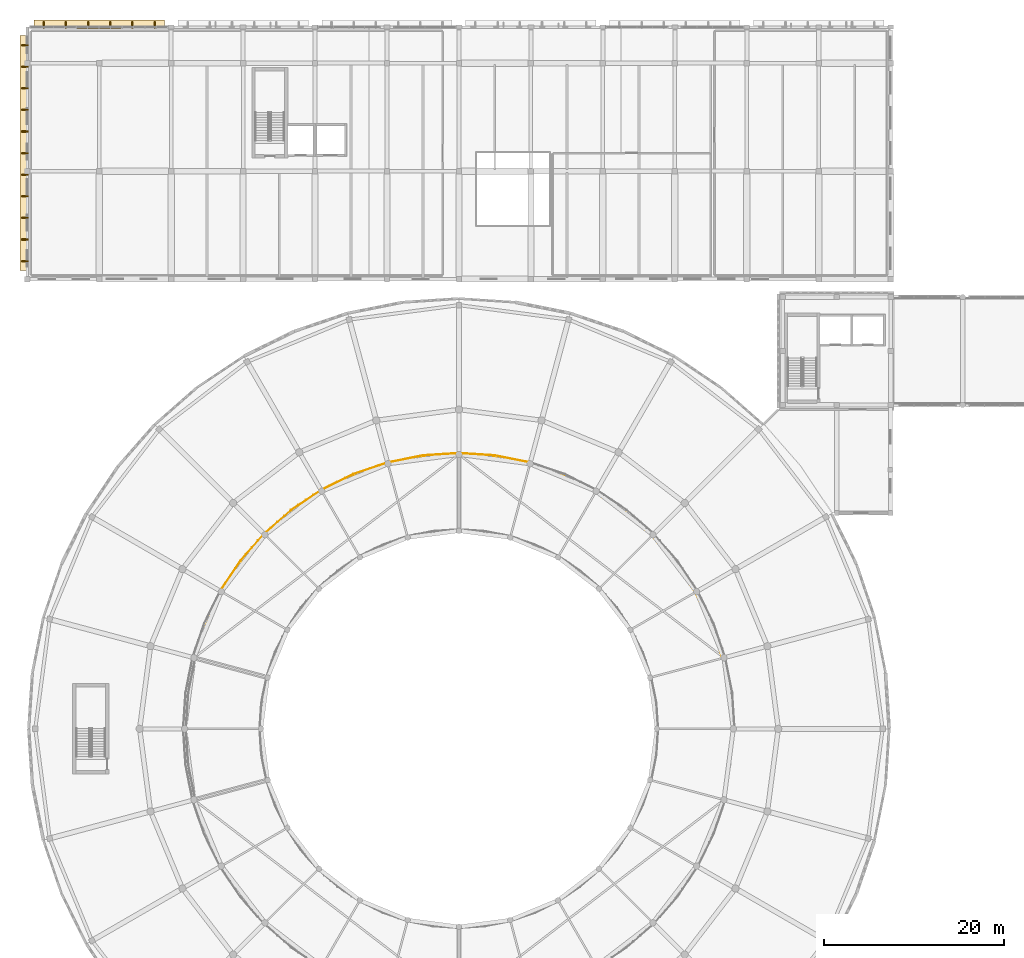
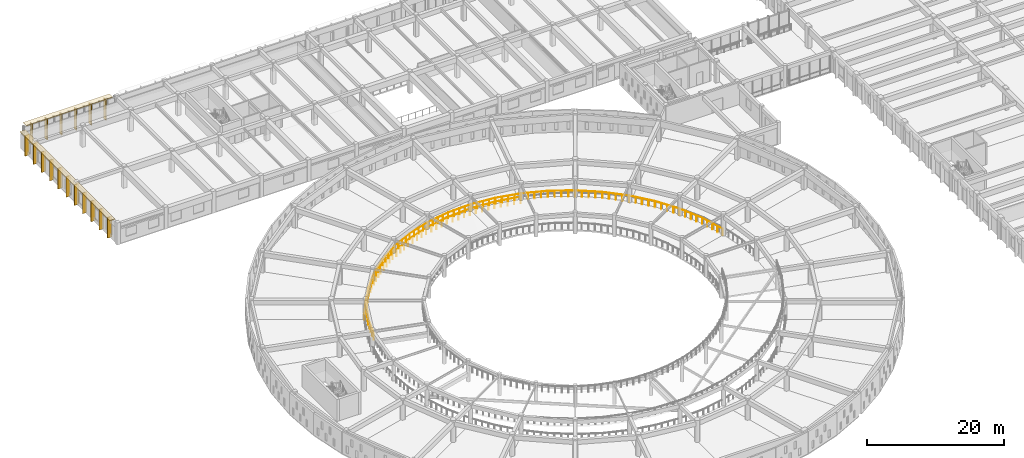
# One storey, part 87 of 98: 19 coverings, 2 railings.
"""IFC4 building model written with IfcOpenShell, lengths in metres."""

from ifc_helpers import new_model, si_unit, direction, frame, origin, origin_2d, place, context, subcontext, project, spatial, rectangle, circle, extrude, material, layer, layer_set, type_object, element, save


model = new_model("IFC4")

# Units and contexts
model_context = context("Model", 3, precision=1e-05, world=origin(), true_north=direction((0.0, 1.0)))
body_context = subcontext(model_context, "Body", "Model", "MODEL_VIEW")
ifc_project = project(units=[si_unit("LENGTHUNIT", "METRE"), si_unit("AREAUNIT", "SQUARE_METRE"), si_unit("VOLUMEUNIT", "CUBIC_METRE"), si_unit("PLANEANGLEUNIT", "RADIAN"), si_unit("MASSUNIT", "GRAM", prefix="KILO")], contexts=[model_context])

# Site, building, storey
site_placement = place(None, origin())
site = spatial("IfcSite", under=ifc_project, at=site_placement, CompositionType="ELEMENT")
building_placement = place(site_placement, origin())
building = spatial("IfcBuilding", under=site, at=building_placement, Name="Larkveld Mobility Hub", CompositionType="ELEMENT")
storey_placement = place(building_placement, frame((0.0, 0.0, 4.5)))
storey = spatial("IfcBuildingStorey", under=building, at=storey_placement, Name="L01", CompositionType="ELEMENT", Elevation=4.5)

# Coverings
ifc_material_1 = material(Name="Precast concrete C50/60", Category="concrete")
ifc_layer_1 = layer(ifc_material_1, 0.14990234375, Name="Precast concrete C50/60", Category="concrete")
ifc_layer_set_1 = layer_set([ifc_layer_1], Name="Precast concrete C50/60")
covering_type_1 = type_object("IfcCoveringType", Name="COV-QSL-H01", PredefinedType="CLADDING", material=ifc_layer_set_1)
covering_1_placement = place(storey_placement, frame((8.0, 126.340087890625, 3.670166015625), z_axis=(0.0, 0.0, 1.0), x_axis=(-1.0, 0.0, 0.0)))
element("IfcCovering", 1, at=covering_1_placement, inside=storey, type_object=covering_type_1, Name="Precast Quebra-Sol Horizontal Sunbreaker QSH-057", PredefinedType="CLADDING", context=body_context, shape_type="SweptSolid", body=[
    extrude(rectangle(XDim=14.5, YDim=0.919921875, at=origin_2d()), origin(), (0.0, 0.0, 1.0), 0.14990234375),
])
covering_2_placement = place(storey_placement, frame((-0.340087890625, 112.0, 3.670166015625), z_axis=(0.0, 0.0, 1.0), x_axis=(0.0, -1.0, 0.0)))
element("IfcCovering", 2, at=covering_2_placement, inside=storey, type_object=covering_type_1, Name="Precast Quebra-Sol Horizontal Sunbreaker QSH-099", PredefinedType="CLADDING", context=body_context, shape_type="SweptSolid", body=[
    extrude(rectangle(XDim=26.10009765625, YDim=0.919921875, at=origin_2d()), origin(), (0.0, 0.0, 1.0), 0.14990234375),
])
ifc_layer_2 = layer(ifc_material_1, 0.1201171875, Name="Precast concrete C50/60", Category="concrete")
ifc_layer_set_2 = layer_set([ifc_layer_2], Name="Precast concrete C50/60")
covering_type_2 = type_object("IfcCoveringType", Name="COV-QSL-V01", PredefinedType="CLADDING", material=ifc_layer_set_2)
for number, where, z_axis, x_axis, name in (
    (3, (14.1669921875, 126.239990234375, -0.0205078125), (0.0, 0.0, 1.0), (-1.0, 0.0, 0.0), "Precast Quebra-Sol Vertical Fin QSV-058"),
    (4, (11.699951171875, 126.239990234375, -0.0205078125), (0.0, 0.0, 1.0), (-1.0, 0.0, 0.0), "Precast Quebra-Sol Vertical Fin QSV-059"),
    (5, (9.23291015625, 126.239990234375, -0.0205078125), (0.0, 0.0, 1.0), (-1.0, 0.0, 0.0), "Precast Quebra-Sol Vertical Fin QSV-060"),
    (6, (6.76708984375, 126.239990234375, -0.0205078125), (0.0, 0.0, 1.0), (-1.0, 0.0, 0.0), "Precast Quebra-Sol Vertical Fin QSV-061"),
    (7, (4.300048828125, 126.239990234375, -0.0205078125), (0.0, 0.0, 1.0), (-1.0, 0.0, 0.0), "Precast Quebra-Sol Vertical Fin QSV-062"),
    (8, (1.8330078125, 126.239990234375, -0.0205078125), (0.0, 0.0, 1.0), (-1.0, 0.0, 0.0), "Precast Quebra-Sol Vertical Fin QSV-063"),
    (9, (-0.239990234375, 124.0, -0.0205078125), (0.0, 0.0, 1.0), (0.0, -1.0, 0.0), "Precast Quebra-Sol Vertical Fin QSV-100"),
    (10, (-0.239990234375, 121.60009765625, -0.0205078125), (0.0, 0.0, 1.0), (0.0, -1.0, 0.0), "Precast Quebra-Sol Vertical Fin QSV-101"),
    (11, (-0.239990234375, 119.199951171875, -0.0205078125), (0.0, 0.0, 1.0), (0.0, -1.0, 0.0), "Precast Quebra-Sol Vertical Fin QSV-102"),
    (12, (-0.239990234375, 116.800048828125, -0.0205078125), (0.0, 0.0, 1.0), (0.0, -1.0, 0.0), "Precast Quebra-Sol Vertical Fin QSV-103"),
    (13, (-0.239990234375, 114.39990234375, -0.0205078125), (0.0, 0.0, 1.0), (0.0, -1.0, 0.0), "Precast Quebra-Sol Vertical Fin QSV-104"),
    (14, (-0.239990234375, 112.0, -0.0205078125), (0.0, 0.0, 1.0), (0.0, -1.0, 0.0), "Precast Quebra-Sol Vertical Fin QSV-105"),
    (15, (-0.239990234375, 109.60009765625, -0.0205078125), (0.0, 0.0, 1.0), (0.0, -1.0, 0.0), "Precast Quebra-Sol Vertical Fin QSV-106"),
    (16, (-0.239990234375, 107.199951171875, -0.0205078125), (0.0, 0.0, 1.0), (0.0, -1.0, 0.0), "Precast Quebra-Sol Vertical Fin QSV-107"),
    (17, (-0.239990234375, 104.800048828125, -0.0205078125), (0.0, 0.0, 1.0), (0.0, -1.0, 0.0), "Precast Quebra-Sol Vertical Fin QSV-108"),
    (18, (-0.239990234375, 102.39990234375, -0.0205078125), (0.0, 0.0, 1.0), (0.0, -1.0, 0.0), "Precast Quebra-Sol Vertical Fin QSV-109"),
    (19, (-0.239990234375, 100.0, -0.0205078125), (0.0, 0.0, 1.0), (0.0, -1.0, 0.0), "Precast Quebra-Sol Vertical Fin QSV-110"),
):
    element("IfcCovering", number, at=place(storey_placement, frame(where, z_axis=z_axis, x_axis=x_axis)), inside=storey, type_object=covering_type_2, Name=name, PredefinedType="CLADDING", context=body_context, shape_type="SweptSolid", body=[
        extrude(rectangle(XDim=0.1201171875, YDim=0.719970703125, at=origin_2d()), origin(), (0.0, 0.0, 1.0), 3.675048828125),
    ])

# Railings
ifc_material_2 = material(Name="Anodized aluminium 6063-T6 balustrade", Category="aluminium")
railing_type_1 = type_object("IfcRailingType", Name="RL-GRD-1150", PredefinedType="GUARDRAIL", material=ifc_material_2)
railing_1_placement = place(storey_placement, frame((55.93310546875, 77.60595703125, 0.0)))
element("IfcRailing", 20, at=railing_1_placement, inside=storey, type_object=railing_type_1, Name="Drum Ramp Well Guardrail L01-038", PredefinedType="GUARDRAIL", context=body_context, shape_type="SweptSolid", body=[
    extrude(circle(Radius=0.02392578125, at=origin_2d()), frame((0.0, 0.0, 1.1259765625), z_axis=(-0.980793233096, 0.195050336869, 0.0), x_axis=(-0.195050336869, -0.980793233096, 0.0)), (0.0, 0.0, 1.0), 4.009033203125),
    extrude(circle(Radius=0.02392578125, at=origin_2d()), frame((-3.93212890625, 0.781982421875, 1.1259765625), z_axis=(-0.997863396539, 0.065334844062, 0.0), x_axis=(-0.065334844062, -0.997863396539, 0.0)), (0.0, 0.0, 1.0), 4.009521484375),
    extrude(circle(Radius=0.02392578125, at=origin_2d()), frame((-7.93310546875, 1.0439453125, 1.1259765625), z_axis=(-0.997863396539, -0.065334844062, 0.0), x_axis=(0.065334844062, -0.997863396539, 0.0)), (0.0, 0.0, 1.0), 4.009521484375),
    extrude(circle(Radius=0.02392578125, at=origin_2d()), frame((-11.93408203125, 0.781982421875, 1.1259765625), z_axis=(-0.980793233096, -0.195050336869, 0.0), x_axis=(0.195050336869, -0.980793233096, 0.0)), (0.0, 0.0, 1.0), 4.009033203125),
    extrude(circle(Radius=0.02392578125, at=origin_2d()), frame((-15.8662109375, 0.0, 1.1259765625), z_axis=(-0.946889985865, -0.321557700371, 0.0), x_axis=(0.321557700371, -0.946889985865, 0.0)), (0.0, 0.0, 1.0), 4.0087890625),
    extrude(circle(Radius=0.02392578125, at=origin_2d()), frame((-19.662109375, -1.2890625, 1.1259765625), z_axis=(-0.89690991287, -0.442213306217, 0.0), x_axis=(0.442213306217, -0.89690991287, 0.0)), (0.0, 0.0, 1.0), 4.00927734375),
    extrude(circle(Radius=0.02392578125, at=origin_2d()), frame((-23.258056640625, -3.06201171875, 1.1259765625), z_axis=(-0.831431571078, -0.555627161516, 0.0), x_axis=(0.555627161516, -0.831431571078, 0.0)), (0.0, 0.0, 1.0), 4.010009765625),
    extrude(circle(Radius=0.02392578125, at=origin_2d()), frame((-26.592041015625, -5.2900390625, 1.1259765625), z_axis=(-0.75190475676, -0.65927174728, 0.0), x_axis=(0.65927174728, -0.75190475676, 0.0)), (0.0, 0.0, 1.0), 4.0087890625),
    extrude(circle(Radius=0.02392578125, at=origin_2d()), frame((-29.606201171875, -7.932861328125, 1.1259765625), z_axis=(-0.65927174728, -0.75190475676, 0.0), x_axis=(0.75190475676, -0.65927174728, 0.0)), (0.0, 0.0, 1.0), 4.0087890625),
    extrude(circle(Radius=0.02392578125, at=origin_2d()), frame((-32.2490234375, -10.947021484375, 1.1259765625), z_axis=(-0.555627161516, -0.831431571078, 0.0), x_axis=(0.831431571078, -0.555627161516, 0.0)), (0.0, 0.0, 1.0), 4.010009765625),
    extrude(circle(Radius=0.02099609375, at=origin_2d()), origin(), (0.0, 0.0, 1.0), 1.101806640625),
    extrude(circle(Radius=0.02099609375, at=origin_2d()), frame((-0.98291015625, 0.195556640625, 0.0)), (0.0, 0.0, 1.0), 1.101806640625),
    extrude(circle(Radius=0.02099609375, at=origin_2d()), frame((-1.966064453125, 0.39111328125, 0.0)), (0.0, 0.0, 1.0), 1.101806640625),
    extrude(circle(Radius=0.02099609375, at=origin_2d()), frame((-2.94921875, 0.58642578125, 0.0)), (0.0, 0.0, 1.0), 1.101806640625),
    extrude(circle(Radius=0.02099609375, at=origin_2d()), frame((-3.93212890625, 0.781982421875, 0.0)), (0.0, 0.0, 1.0), 1.101806640625),
    extrude(circle(Radius=0.02099609375, at=origin_2d()), frame((-4.932373046875, 0.847412109375, 0.0)), (0.0, 0.0, 1.0), 1.101806640625),
    extrude(circle(Radius=0.02099609375, at=origin_2d()), frame((-5.9326171875, 0.9130859375, 0.0)), (0.0, 0.0, 1.0), 1.101806640625),
    extrude(circle(Radius=0.02099609375, at=origin_2d()), frame((-6.932861328125, 0.978515625, 0.0)), (0.0, 0.0, 1.0), 1.101806640625),
    extrude(circle(Radius=0.02099609375, at=origin_2d()), frame((-7.93310546875, 1.0439453125, 0.0)), (0.0, 0.0, 1.0), 1.101806640625),
    extrude(circle(Radius=0.02099609375, at=origin_2d()), frame((-8.933349609375, 0.978515625, 0.0)), (0.0, 0.0, 1.0), 1.101806640625),
    extrude(circle(Radius=0.02099609375, at=origin_2d()), frame((-9.93359375, 0.9130859375, 0.0)), (0.0, 0.0, 1.0), 1.101806640625),
    extrude(circle(Radius=0.02099609375, at=origin_2d()), frame((-10.933837890625, 0.847412109375, 0.0)), (0.0, 0.0, 1.0), 1.101806640625),
    extrude(circle(Radius=0.02099609375, at=origin_2d()), frame((-11.93408203125, 0.781982421875, 0.0)), (0.0, 0.0, 1.0), 1.101806640625),
    extrude(circle(Radius=0.02099609375, at=origin_2d()), frame((-12.9169921875, 0.58642578125, 0.0)), (0.0, 0.0, 1.0), 1.101806640625),
    extrude(circle(Radius=0.02099609375, at=origin_2d()), frame((-13.900146484375, 0.39111328125, 0.0)), (0.0, 0.0, 1.0), 1.101806640625),
    extrude(circle(Radius=0.02099609375, at=origin_2d()), frame((-14.88330078125, 0.195556640625, 0.0)), (0.0, 0.0, 1.0), 1.101806640625),
    extrude(circle(Radius=0.02099609375, at=origin_2d()), frame((-15.8662109375, 0.0, 0.0)), (0.0, 0.0, 1.0), 1.101806640625),
    extrude(circle(Radius=0.02099609375, at=origin_2d()), frame((-16.815185546875, -0.322265625, 0.0)), (0.0, 0.0, 1.0), 1.101806640625),
    extrude(circle(Radius=0.02099609375, at=origin_2d()), frame((-17.76416015625, -0.64453125, 0.0)), (0.0, 0.0, 1.0), 1.101806640625),
    extrude(circle(Radius=0.02099609375, at=origin_2d()), frame((-18.713134765625, -0.966796875, 0.0)), (0.0, 0.0, 1.0), 1.101806640625),
    extrude(circle(Radius=0.02099609375, at=origin_2d()), frame((-19.662109375, -1.2890625, 0.0)), (0.0, 0.0, 1.0), 1.101806640625),
    extrude(circle(Radius=0.02099609375, at=origin_2d()), frame((-20.56103515625, -1.732421875, 0.0)), (0.0, 0.0, 1.0), 1.101806640625),
    extrude(circle(Radius=0.02099609375, at=origin_2d()), frame((-21.4599609375, -2.175537109375, 0.0)), (0.0, 0.0, 1.0), 1.101806640625),
    extrude(circle(Radius=0.02099609375, at=origin_2d()), frame((-22.359130859375, -2.61865234375, 0.0)), (0.0, 0.0, 1.0), 1.101806640625),
    extrude(circle(Radius=0.02099609375, at=origin_2d()), frame((-23.258056640625, -3.06201171875, 0.0)), (0.0, 0.0, 1.0), 1.101806640625),
    extrude(circle(Radius=0.02099609375, at=origin_2d()), frame((-24.091552734375, -3.619140625, 0.0)), (0.0, 0.0, 1.0), 1.101806640625),
    extrude(circle(Radius=0.02099609375, at=origin_2d()), frame((-24.925048828125, -4.176025390625, 0.0)), (0.0, 0.0, 1.0), 1.101806640625),
    extrude(circle(Radius=0.02099609375, at=origin_2d()), frame((-25.758544921875, -4.73291015625, 0.0)), (0.0, 0.0, 1.0), 1.101806640625),
    extrude(circle(Radius=0.02099609375, at=origin_2d()), frame((-26.592041015625, -5.2900390625, 0.0)), (0.0, 0.0, 1.0), 1.101806640625),
    extrude(circle(Radius=0.02099609375, at=origin_2d()), frame((-27.345703125, -5.95068359375, 0.0)), (0.0, 0.0, 1.0), 1.101806640625),
    extrude(circle(Radius=0.02099609375, at=origin_2d()), frame((-28.09912109375, -6.611328125, 0.0)), (0.0, 0.0, 1.0), 1.101806640625),
    extrude(circle(Radius=0.02099609375, at=origin_2d()), frame((-28.8525390625, -7.272216796875, 0.0)), (0.0, 0.0, 1.0), 1.101806640625),
    extrude(circle(Radius=0.02099609375, at=origin_2d()), frame((-29.606201171875, -7.932861328125, 0.0)), (0.0, 0.0, 1.0), 1.101806640625),
    extrude(circle(Radius=0.02099609375, at=origin_2d()), frame((-30.266845703125, -8.6865234375, 0.0)), (0.0, 0.0, 1.0), 1.101806640625),
    extrude(circle(Radius=0.02099609375, at=origin_2d()), frame((-30.927734375, -9.43994140625, 0.0)), (0.0, 0.0, 1.0), 1.101806640625),
    extrude(circle(Radius=0.02099609375, at=origin_2d()), frame((-31.58837890625, -10.193359375, 0.0)), (0.0, 0.0, 1.0), 1.101806640625),
    extrude(circle(Radius=0.02099609375, at=origin_2d()), frame((-32.2490234375, -10.947021484375, 0.0)), (0.0, 0.0, 1.0), 1.101806640625),
    extrude(circle(Radius=0.02099609375, at=origin_2d()), frame((-32.80615234375, -11.780517578125, 0.0)), (0.0, 0.0, 1.0), 1.101806640625),
    extrude(circle(Radius=0.02099609375, at=origin_2d()), frame((-33.363037109375, -12.614013671875, 0.0)), (0.0, 0.0, 1.0), 1.101806640625),
    extrude(circle(Radius=0.02099609375, at=origin_2d()), frame((-33.919921875, -13.447509765625, 0.0)), (0.0, 0.0, 1.0), 1.101806640625),
    extrude(circle(Radius=0.02099609375, at=origin_2d()), frame((-34.47705078125, -14.281005859375, 0.0)), (0.0, 0.0, 1.0), 1.101806640625),
])
ifc_material_3 = material(Name="Galvanized Steel S355JR vehicle-deck guard", Category="steel")
railing_type_2 = type_object("IfcRailingType", Name="RL-GRD-RMP", PredefinedType="GUARDRAIL", material=ifc_material_3)
railing_2_placement = place(storey_placement, frame((77.31591796875, 55.85498046875, 0.0)))
element("IfcRailing", 21, at=railing_2_placement, inside=storey, type_object=railing_type_2, Name="Helical Ramp Outer Sloped Guard T1 L01-011", PredefinedType="GUARDRAIL", context=body_context, shape_type="SweptSolid", body=[
    extrude(circle(Radius=0.02392578125, at=origin_2d()), frame((0.0, 0.0, 1.1259765625), z_axis=(-0.321309933837, 0.946653090563, 0.0246546658), x_axis=(-0.94694093454, -0.321407632909, 0.0)), (0.0, 0.0, 1.0), 3.970947265625),
    extrude(circle(Radius=0.02392578125, at=origin_2d()), frame((-1.27587890625, 3.759033203125, 1.2236328125), z_axis=(-0.442155357303, 0.896604760409, 0.024465151148), x_axis=(-0.896873209453, -0.442287741368, 0.0)), (0.0, 0.0, 1.0), 3.9716796875),
    extrude(circle(Radius=0.02392578125, at=origin_2d()), frame((-3.031982421875, 7.320068359375, 1.32080078125), z_axis=(-0.555467564379, 0.831172746566, 0.024650563669), x_axis=(-0.831425392892, -0.555636406344, 0.0)), (0.0, 0.0, 1.0), 3.971435546875),
    extrude(circle(Radius=0.02392578125, at=origin_2d()), frame((-5.238037109375, 10.62109375, 1.4189453125), z_axis=(-0.659048074546, 0.751704614181, 0.024409187946), x_axis=(-0.75192865028, -0.659244495531, 0.0)), (0.0, 0.0, 1.0), 3.970703125),
    extrude(circle(Radius=0.02392578125, at=origin_2d()), frame((-7.85498046875, 13.60595703125, 1.515625), z_axis=(-0.751703484621, 0.659047084219, 0.024470635276), x_axis=(-0.659244495531, -0.75192865028, 0.0)), (0.0, 0.0, 1.0), 3.970703125),
    extrude(circle(Radius=0.02392578125, at=origin_2d()), frame((-10.83984375, 16.222900390625, 1.61279296875), z_axis=(-0.831172746566, 0.555467564379, 0.024650563669), x_axis=(-0.555636406344, -0.831425392892, 0.0)), (0.0, 0.0, 1.0), 3.971435546875),
    extrude(circle(Radius=0.02392578125, at=origin_2d()), frame((-14.140869140625, 18.428955078125, 1.7109375), z_axis=(-0.896599339816, 0.44215268417, 0.024710882669), x_axis=(-0.442287741368, -0.896873209453, 0.0)), (0.0, 0.0, 1.0), 3.9716796875),
    extrude(circle(Radius=0.02392578125, at=origin_2d()), frame((-17.701904296875, 20.18505859375, 1.80908203125), z_axis=(-0.946658801892, 0.321311872357, 0.024408881233), x_axis=(-0.321407632909, -0.94694093454, 0.0)), (0.0, 0.0, 1.0), 3.970947265625),
    extrude(circle(Radius=0.02392578125, at=origin_2d()), frame((-21.4609375, 21.4609375, 1.90576171875), z_axis=(-0.98050666759, 0.194933331845, 0.024650982677), x_axis=(-0.194992586513, -0.980804716141, 0.0)), (0.0, 0.0, 1.0), 3.971435546875),
    extrude(circle(Radius=0.02392578125, at=origin_2d()), frame((-25.35498046875, 22.235107421875, 2.00390625), z_axis=(-0.997553574235, 0.065482899196, 0.024471543549), x_axis=(-0.065502515435, -0.997852404152, 0.0)), (0.0, 0.0, 1.0), 3.970703125),
    extrude(circle(Radius=0.02392578125, at=origin_2d()), frame((-29.31591796875, 22.4951171875, 2.10107421875), z_axis=(-0.997555073336, -0.065482997603, 0.024410093942), x_axis=(0.065502515435, -0.997852404152, 0.0)), (0.0, 0.0, 1.0), 3.970703125),
    extrude(circle(Radius=0.02392578125, at=origin_2d()), frame((-33.27685546875, 22.235107421875, 2.19775390625), z_axis=(-0.98050666759, -0.194933331845, 0.024650982677), x_axis=(0.194992586513, -0.980804716141, 0.0)), (0.0, 0.0, 1.0), 3.971435546875),
    extrude(circle(Radius=0.02392578125, at=origin_2d()), frame((-37.1708984375, 21.4609375, 2.2958984375), z_axis=(-0.946651653801, -0.321309446175, 0.024716111244), x_axis=(0.321407632909, -0.94694093454, 0.0)), (0.0, 0.0, 1.0), 3.970947265625),
    extrude(circle(Radius=0.02392578125, at=origin_2d()), frame((-40.929931640625, 20.18505859375, 2.39404296875), z_axis=(-0.896606107102, -0.442156021417, 0.024403717573), x_axis=(0.442287741368, -0.896873209453, 0.0)), (0.0, 0.0, 1.0), 3.9716796875),
    extrude(circle(Radius=0.02392578125, at=origin_2d()), frame((-44.490966796875, 18.428955078125, 2.49072265625), z_axis=(-0.831172746566, -0.555467564379, 0.024650563669), x_axis=(0.555636406344, -0.831425392892, 0.0)), (0.0, 0.0, 1.0), 3.971435546875),
    extrude(circle(Radius=0.02392578125, at=origin_2d()), frame((-47.7919921875, 16.222900390625, 2.5888671875), z_axis=(-0.751703484621, -0.659047084219, 0.024470635276), x_axis=(0.659244495531, -0.75192865028, 0.0)), (0.0, 0.0, 1.0), 3.970703125),
    extrude(circle(Radius=0.02392578125, at=origin_2d()), frame((-50.77685546875, 13.60595703125, 2.68603515625), z_axis=(-0.659044098314, -0.751700078925, 0.024654975597), x_axis=(0.75192865028, -0.659244495531, 0.0)), (0.0, 0.0, 1.0), 3.970703125),
    extrude(circle(Radius=0.02392578125, at=origin_2d()), frame((-53.393798828125, 10.62109375, 2.78369140625), z_axis=(-0.5554709145, -0.831177759512, 0.024404819949), x_axis=(0.831425392892, -0.555636406344, 0.0)), (0.0, 0.0, 1.0), 3.971435546875),
    extrude(circle(Radius=0.02392578125, at=origin_2d()), frame((-55.599853515625, 7.320068359375, 2.880859375), z_axis=(-0.44215268417, -0.896599339816, 0.024710882669), x_axis=(0.896873209453, -0.442287741368, 0.0)), (0.0, 0.0, 1.0), 3.9716796875),
    extrude(circle(Radius=0.02392578125, at=origin_2d()), frame((-57.35595703125, 3.759033203125, 2.97900390625), z_axis=(-0.321311872357, -0.946658801892, 0.024408881233), x_axis=(0.94694093454, -0.321407632909, 0.0)), (0.0, 0.0, 1.0), 3.970947265625),
    extrude(circle(Radius=0.02099609375, at=origin_2d()), origin(), (0.0, 0.0, 1.0), 1.101806640625),
    extrude(circle(Radius=0.02099609375, at=origin_2d()), frame((-0.31884765625, 0.939697265625, 0.0244140625)), (0.0, 0.0, 1.0), 1.101806640625),
    extrude(circle(Radius=0.02099609375, at=origin_2d()), frame((-0.637939453125, 1.87939453125, 0.048828125)), (0.0, 0.0, 1.0), 1.101806640625),
    extrude(circle(Radius=0.02099609375, at=origin_2d()), frame((-0.95703125, 2.8193359375, 0.073486328125)), (0.0, 0.0, 1.0), 1.101806640625),
    extrude(circle(Radius=0.02099609375, at=origin_2d()), frame((-1.27587890625, 3.759033203125, 0.097900390625)), (0.0, 0.0, 1.0), 1.101806640625),
    extrude(circle(Radius=0.02099609375, at=origin_2d()), frame((-1.71484375, 4.6494140625, 0.1220703125)), (0.0, 0.0, 1.0), 1.101806640625),
    extrude(circle(Radius=0.02099609375, at=origin_2d()), frame((-2.15380859375, 5.53955078125, 0.146484375)), (0.0, 0.0, 1.0), 1.101806640625),
    extrude(circle(Radius=0.02099609375, at=origin_2d()), frame((-2.593017578125, 6.4296875, 0.1708984375)), (0.0, 0.0, 1.0), 1.101806640625),
    extrude(circle(Radius=0.02099609375, at=origin_2d()), frame((-3.031982421875, 7.320068359375, 0.195068359375)), (0.0, 0.0, 1.0), 1.101806640625),
    extrude(circle(Radius=0.02099609375, at=origin_2d()), frame((-3.58349609375, 8.145263671875, 0.219482421875)), (0.0, 0.0, 1.0), 1.101806640625),
    extrude(circle(Radius=0.02099609375, at=origin_2d()), frame((-4.135009765625, 8.970703125, 0.244140625)), (0.0, 0.0, 1.0), 1.101806640625),
    extrude(circle(Radius=0.02099609375, at=origin_2d()), frame((-4.6865234375, 9.7958984375, 0.2685546875)), (0.0, 0.0, 1.0), 1.101806640625),
    extrude(circle(Radius=0.02099609375, at=origin_2d()), frame((-5.238037109375, 10.62109375, 0.29296875)), (0.0, 0.0, 1.0), 1.101806640625),
    extrude(circle(Radius=0.02099609375, at=origin_2d()), frame((-5.892333984375, 11.3671875, 0.317138671875)), (0.0, 0.0, 1.0), 1.101806640625),
    extrude(circle(Radius=0.02099609375, at=origin_2d()), frame((-6.54638671875, 12.113525390625, 0.34130859375)), (0.0, 0.0, 1.0), 1.101806640625),
    extrude(circle(Radius=0.02099609375, at=origin_2d()), frame((-7.20068359375, 12.85986328125, 0.36572265625)), (0.0, 0.0, 1.0), 1.101806640625),
    extrude(circle(Radius=0.02099609375, at=origin_2d()), frame((-7.85498046875, 13.60595703125, 0.389892578125)), (0.0, 0.0, 1.0), 1.101806640625),
    extrude(circle(Radius=0.02099609375, at=origin_2d()), frame((-8.60107421875, 14.26025390625, 0.4140625)), (0.0, 0.0, 1.0), 1.101806640625),
    extrude(circle(Radius=0.02099609375, at=origin_2d()), frame((-9.347412109375, 14.91455078125, 0.4384765625)), (0.0, 0.0, 1.0), 1.101806640625),
    extrude(circle(Radius=0.02099609375, at=origin_2d()), frame((-10.09375, 15.568603515625, 0.462890625)), (0.0, 0.0, 1.0), 1.101806640625),
    extrude(circle(Radius=0.02099609375, at=origin_2d()), frame((-10.83984375, 16.222900390625, 0.487060546875)), (0.0, 0.0, 1.0), 1.101806640625),
    extrude(circle(Radius=0.02099609375, at=origin_2d()), frame((-11.6650390625, 16.7744140625, 0.511474609375)), (0.0, 0.0, 1.0), 1.101806640625),
    extrude(circle(Radius=0.02099609375, at=origin_2d()), frame((-12.490234375, 17.325927734375, 0.5361328125)), (0.0, 0.0, 1.0), 1.101806640625),
    extrude(circle(Radius=0.02099609375, at=origin_2d()), frame((-13.315673828125, 17.87744140625, 0.560546875)), (0.0, 0.0, 1.0), 1.101806640625),
    extrude(circle(Radius=0.02099609375, at=origin_2d()), frame((-14.140869140625, 18.428955078125, 0.5849609375)), (0.0, 0.0, 1.0), 1.101806640625),
    extrude(circle(Radius=0.02099609375, at=origin_2d()), frame((-15.03125, 18.867919921875, 0.609375)), (0.0, 0.0, 1.0), 1.101806640625),
    extrude(circle(Radius=0.02099609375, at=origin_2d()), frame((-15.92138671875, 19.30712890625, 0.634033203125)), (0.0, 0.0, 1.0), 1.101806640625),
    extrude(circle(Radius=0.02099609375, at=origin_2d()), frame((-16.8115234375, 19.74609375, 0.65869140625)), (0.0, 0.0, 1.0), 1.101806640625),
    extrude(circle(Radius=0.02099609375, at=origin_2d()), frame((-17.701904296875, 20.18505859375, 0.68310546875)), (0.0, 0.0, 1.0), 1.101806640625),
    extrude(circle(Radius=0.02099609375, at=origin_2d()), frame((-18.6416015625, 20.50390625, 0.707275390625)), (0.0, 0.0, 1.0), 1.101806640625),
    extrude(circle(Radius=0.02099609375, at=origin_2d()), frame((-19.58154296875, 20.822998046875, 0.7314453125)), (0.0, 0.0, 1.0), 1.101806640625),
    extrude(circle(Radius=0.02099609375, at=origin_2d()), frame((-20.521240234375, 21.14208984375, 0.755859375)), (0.0, 0.0, 1.0), 1.101806640625),
    extrude(circle(Radius=0.02099609375, at=origin_2d()), frame((-21.4609375, 21.4609375, 0.780029296875)), (0.0, 0.0, 1.0), 1.101806640625),
    extrude(circle(Radius=0.02099609375, at=origin_2d()), frame((-22.4345703125, 21.654541015625, 0.804443359375)), (0.0, 0.0, 1.0), 1.101806640625),
    extrude(circle(Radius=0.02099609375, at=origin_2d()), frame((-23.407958984375, 21.84814453125, 0.8291015625)), (0.0, 0.0, 1.0), 1.101806640625),
    extrude(circle(Radius=0.02099609375, at=origin_2d()), frame((-24.38134765625, 22.04150390625, 0.853515625)), (0.0, 0.0, 1.0), 1.101806640625),
    extrude(circle(Radius=0.02099609375, at=origin_2d()), frame((-25.35498046875, 22.235107421875, 0.8779296875)), (0.0, 0.0, 1.0), 1.101806640625),
    extrude(circle(Radius=0.02099609375, at=origin_2d()), frame((-26.34521484375, 22.300048828125, 0.90234375)), (0.0, 0.0, 1.0), 1.101806640625),
    extrude(circle(Radius=0.02099609375, at=origin_2d()), frame((-27.33544921875, 22.365234375, 0.926513671875)), (0.0, 0.0, 1.0), 1.101806640625),
    extrude(circle(Radius=0.02099609375, at=origin_2d()), frame((-28.32568359375, 22.43017578125, 0.95068359375)), (0.0, 0.0, 1.0), 1.101806640625),
    extrude(circle(Radius=0.02099609375, at=origin_2d()), frame((-29.31591796875, 22.4951171875, 0.97509765625)), (0.0, 0.0, 1.0), 1.101806640625),
    extrude(circle(Radius=0.02099609375, at=origin_2d()), frame((-30.30615234375, 22.43017578125, 0.999267578125)), (0.0, 0.0, 1.0), 1.101806640625),
    extrude(circle(Radius=0.02099609375, at=origin_2d()), frame((-31.29638671875, 22.365234375, 1.0234375)), (0.0, 0.0, 1.0), 1.101806640625),
    extrude(circle(Radius=0.02099609375, at=origin_2d()), frame((-32.28662109375, 22.300048828125, 1.0478515625)), (0.0, 0.0, 1.0), 1.101806640625),
    extrude(circle(Radius=0.02099609375, at=origin_2d()), frame((-33.27685546875, 22.235107421875, 1.072021484375)), (0.0, 0.0, 1.0), 1.101806640625),
    extrude(circle(Radius=0.02099609375, at=origin_2d()), frame((-34.25048828125, 22.04150390625, 1.096435546875)), (0.0, 0.0, 1.0), 1.101806640625),
    extrude(circle(Radius=0.02099609375, at=origin_2d()), frame((-35.223876953125, 21.84814453125, 1.12109375)), (0.0, 0.0, 1.0), 1.101806640625),
    extrude(circle(Radius=0.02099609375, at=origin_2d()), frame((-36.197265625, 21.654541015625, 1.1455078125)), (0.0, 0.0, 1.0), 1.101806640625),
    extrude(circle(Radius=0.02099609375, at=origin_2d()), frame((-37.1708984375, 21.4609375, 1.169921875)), (0.0, 0.0, 1.0), 1.101806640625),
    extrude(circle(Radius=0.02099609375, at=origin_2d()), frame((-38.110595703125, 21.14208984375, 1.1943359375)), (0.0, 0.0, 1.0), 1.101806640625),
    extrude(circle(Radius=0.02099609375, at=origin_2d()), frame((-39.05029296875, 20.822998046875, 1.218994140625)), (0.0, 0.0, 1.0), 1.101806640625),
    extrude(circle(Radius=0.02099609375, at=origin_2d()), frame((-39.990234375, 20.50390625, 1.24365234375)), (0.0, 0.0, 1.0), 1.101806640625),
    extrude(circle(Radius=0.02099609375, at=origin_2d()), frame((-40.929931640625, 20.18505859375, 1.26806640625)), (0.0, 0.0, 1.0), 1.101806640625),
    extrude(circle(Radius=0.02099609375, at=origin_2d()), frame((-41.8203125, 19.74609375, 1.292236328125)), (0.0, 0.0, 1.0), 1.101806640625),
    extrude(circle(Radius=0.02099609375, at=origin_2d()), frame((-42.71044921875, 19.30712890625, 1.31640625)), (0.0, 0.0, 1.0), 1.101806640625),
    extrude(circle(Radius=0.02099609375, at=origin_2d()), frame((-43.6005859375, 18.867919921875, 1.3408203125)), (0.0, 0.0, 1.0), 1.101806640625),
    extrude(circle(Radius=0.02099609375, at=origin_2d()), frame((-44.490966796875, 18.428955078125, 1.364990234375)), (0.0, 0.0, 1.0), 1.101806640625),
    extrude(circle(Radius=0.02099609375, at=origin_2d()), frame((-45.316162109375, 17.87744140625, 1.389404296875)), (0.0, 0.0, 1.0), 1.101806640625),
    extrude(circle(Radius=0.02099609375, at=origin_2d()), frame((-46.1416015625, 17.325927734375, 1.4140625)), (0.0, 0.0, 1.0), 1.101806640625),
    extrude(circle(Radius=0.02099609375, at=origin_2d()), frame((-46.966796875, 16.7744140625, 1.4384765625)), (0.0, 0.0, 1.0), 1.101806640625),
    extrude(circle(Radius=0.02099609375, at=origin_2d()), frame((-47.7919921875, 16.222900390625, 1.462890625)), (0.0, 0.0, 1.0), 1.101806640625),
    extrude(circle(Radius=0.02099609375, at=origin_2d()), frame((-48.5380859375, 15.568603515625, 1.4873046875)), (0.0, 0.0, 1.0), 1.101806640625),
    extrude(circle(Radius=0.02099609375, at=origin_2d()), frame((-49.284423828125, 14.91455078125, 1.511474609375)), (0.0, 0.0, 1.0), 1.101806640625),
    extrude(circle(Radius=0.02099609375, at=origin_2d()), frame((-50.03076171875, 14.26025390625, 1.53564453125)), (0.0, 0.0, 1.0), 1.101806640625),
    extrude(circle(Radius=0.02099609375, at=origin_2d()), frame((-50.77685546875, 13.60595703125, 1.56005859375)), (0.0, 0.0, 1.0), 1.101806640625),
    extrude(circle(Radius=0.02099609375, at=origin_2d()), frame((-51.43115234375, 12.85986328125, 1.58447265625)), (0.0, 0.0, 1.0), 1.101806640625),
    extrude(circle(Radius=0.02099609375, at=origin_2d()), frame((-52.08544921875, 12.113525390625, 1.60888671875)), (0.0, 0.0, 1.0), 1.101806640625),
    extrude(circle(Radius=0.02099609375, at=origin_2d()), frame((-52.739501953125, 11.3671875, 1.633544921875)), (0.0, 0.0, 1.0), 1.101806640625),
    extrude(circle(Radius=0.02099609375, at=origin_2d()), frame((-53.393798828125, 10.62109375, 1.657958984375)), (0.0, 0.0, 1.0), 1.101806640625),
    extrude(circle(Radius=0.02099609375, at=origin_2d()), frame((-53.9453125, 9.7958984375, 1.68212890625)), (0.0, 0.0, 1.0), 1.101806640625),
    extrude(circle(Radius=0.02099609375, at=origin_2d()), frame((-54.496826171875, 8.970703125, 1.70654296875)), (0.0, 0.0, 1.0), 1.101806640625),
    extrude(circle(Radius=0.02099609375, at=origin_2d()), frame((-55.04833984375, 8.145263671875, 1.730712890625)), (0.0, 0.0, 1.0), 1.101806640625),
    extrude(circle(Radius=0.02099609375, at=origin_2d()), frame((-55.599853515625, 7.320068359375, 1.7548828125)), (0.0, 0.0, 1.0), 1.101806640625),
    extrude(circle(Radius=0.02099609375, at=origin_2d()), frame((-56.038818359375, 6.4296875, 1.779296875)), (0.0, 0.0, 1.0), 1.101806640625),
    extrude(circle(Radius=0.02099609375, at=origin_2d()), frame((-56.47802734375, 5.53955078125, 1.803955078125)), (0.0, 0.0, 1.0), 1.101806640625),
    extrude(circle(Radius=0.02099609375, at=origin_2d()), frame((-56.9169921875, 4.6494140625, 1.82861328125)), (0.0, 0.0, 1.0), 1.101806640625),
    extrude(circle(Radius=0.02099609375, at=origin_2d()), frame((-57.35595703125, 3.759033203125, 1.85302734375)), (0.0, 0.0, 1.0), 1.101806640625),
    extrude(circle(Radius=0.02099609375, at=origin_2d()), frame((-57.6748046875, 2.8193359375, 1.877197265625)), (0.0, 0.0, 1.0), 1.101806640625),
    extrude(circle(Radius=0.02099609375, at=origin_2d()), frame((-57.993896484375, 1.87939453125, 1.9013671875)), (0.0, 0.0, 1.0), 1.101806640625),
    extrude(circle(Radius=0.02099609375, at=origin_2d()), frame((-58.31298828125, 0.939697265625, 1.92578125)), (0.0, 0.0, 1.0), 1.101806640625),
    extrude(circle(Radius=0.02099609375, at=origin_2d()), frame((-58.6318359375, 0.0, 1.949951171875)), (0.0, 0.0, 1.0), 1.101806640625),
])

save(model, "model.ifc")
